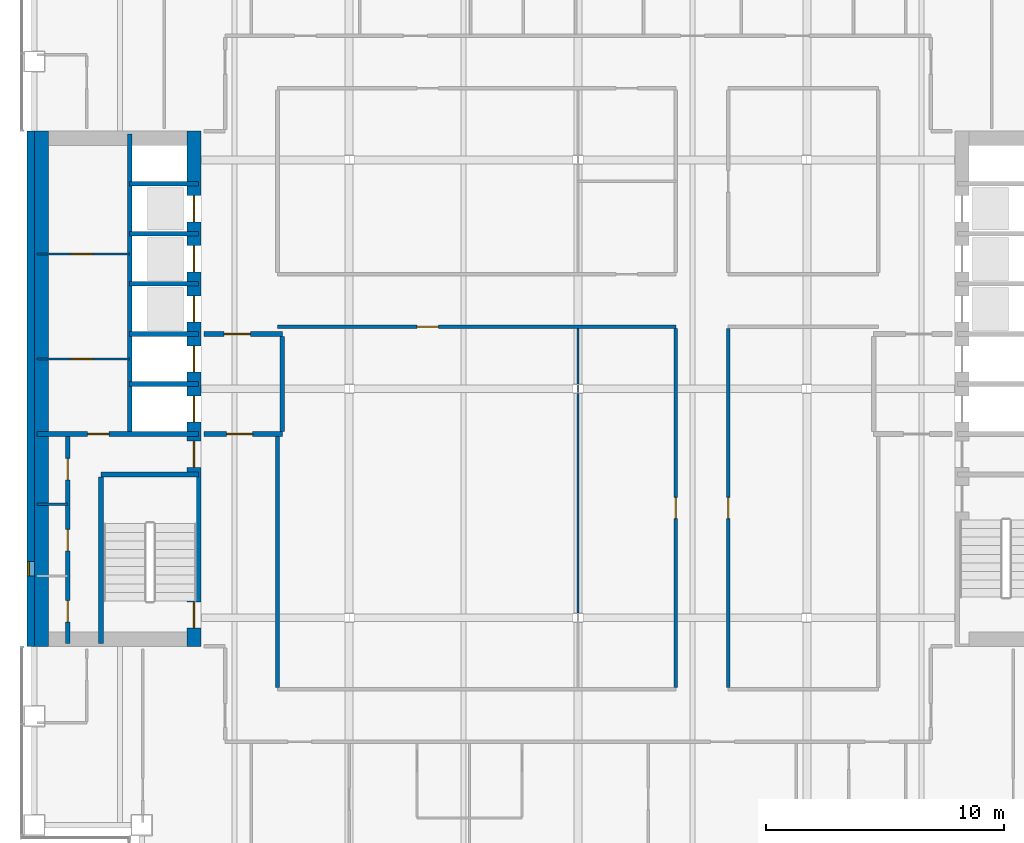
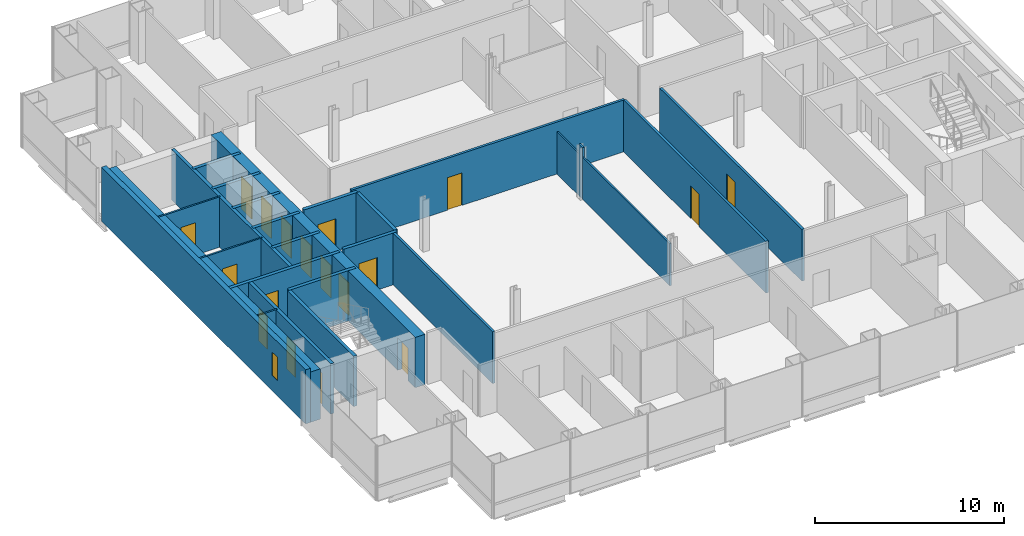
# One storey, part 11 of 16: 26 walls, 18 doors, 1 window, 19 openings.
"""IFC4 building model written with IfcOpenShell, lengths in metres."""

import ifcopenshell
import ifcopenshell.guid

model = None  # the IFC model being written
_history = None  # IfcOwnerHistory: only IFC2X3 demands one
_inside = {}  # id of a spatial element -> (the spatial element, [elements in it])
_under = {}  # id of a project, library or spatial element -> (it, [spatial elements below it])
_declared = {}  # id of a project -> (the project, [libraries it declares])
_typed = {}  # id of a type object -> (the type object, [elements of that type])
_made_of = {}  # id of a material, layer set ... -> (it, [elements and type objects made of it])


def new_model(schema):
    """Start an empty IFC model of exactly this schema.

    Asked for "IFC4X3", IfcOpenShell would pick the latest addendum, in which some entities
    have other attributes; the version numbers below select the first issue.
    IFC2X3 requires an IfcOwnerHistory on every rooted entity: one is made here for all.
    """
    global model, _history
    if schema == "IFC4X3":
        model = ifcopenshell.file(schema_version=(4, 3, 0, 0))
    else:
        model = ifcopenshell.file(schema=schema)
    _inside.clear()
    _under.clear()
    _declared.clear()
    _typed.clear()
    _made_of.clear()
    _history = None
    if model.schema == "IFC2X3":
        org = make("IfcOrganization", Name="unknown")
        user = make(
            "IfcPersonAndOrganization",
            ThePerson=make("IfcPerson", FamilyName="unknown"),
            TheOrganization=org,
        )
        app = make(
            "IfcApplication",
            ApplicationDeveloper=org,
            Version="unknown",
            ApplicationFullName="unknown",
            ApplicationIdentifier="unknown",
        )
        _history = make(
            "IfcOwnerHistory",
            OwningUser=user,
            OwningApplication=app,
            ChangeAction="ADDED",
            CreationDate=0,
        )
    return model


def make(cls, **values):
    """One entity of the class cls with the attributes given. An attribute that is None is left unset."""
    return model.create_entity(
        cls, **{name: value for name, value in values.items() if value is not None}
    )


def rooted(cls, **values):
    """An entity with a GlobalId (a new one), such as an element, a storey or a relation."""
    return make(cls, GlobalId=ifcopenshell.guid.new(), OwnerHistory=_history, **values)


def si_unit(unit_type, name, prefix=None):
    """IfcSIUnit, for example si_unit("LENGTHUNIT", "METRE", prefix="MILLI")."""
    return make("IfcSIUnit", UnitType=unit_type, Prefix=prefix, Name=name)


def assignment(units):
    """IfcUnitAssignment: the units of a project."""
    return None if units is None else make("IfcUnitAssignment", Units=units)


def point(xyz):
    """IfcCartesianPoint."""
    return None if xyz is None else make("IfcCartesianPoint", Coordinates=xyz)


def direction(xyz):
    """IfcDirection."""
    return None if xyz is None else make("IfcDirection", DirectionRatios=xyz)


def frame(location, z_axis=None, x_axis=None):
    """IfcAxis2Placement3D, a coordinate frame: its origin and axes. An axis left out is left unset."""
    return make(
        "IfcAxis2Placement3D",
        Location=point(location),
        Axis=direction(z_axis),
        RefDirection=direction(x_axis),
    )


def frame_2d(location, x_axis=None):
    """IfcAxis2Placement2D, a coordinate frame in the plane: its origin and x axis."""
    return make(
        "IfcAxis2Placement2D", Location=point(location), RefDirection=direction(x_axis)
    )


def origin():
    """The frame at (0, 0, 0) with its axes left unset."""
    return frame((0.0, 0.0, 0.0))


def place(relative_to, where):
    """IfcLocalPlacement: puts the frame where relative to a parent placement (None: the world)."""
    return make(
        "IfcLocalPlacement", PlacementRelTo=relative_to, RelativePlacement=where
    )


def context(
    kind, dimensions, precision=None, world=None, true_north=None, identifier=None
):
    """IfcGeometricRepresentationContext, for example the 3D "Model" context."""
    return make(
        "IfcGeometricRepresentationContext",
        ContextIdentifier=identifier,
        ContextType=kind,
        CoordinateSpaceDimension=dimensions,
        Precision=precision,
        WorldCoordinateSystem=world,
        TrueNorth=true_north,
    )


def subcontext(parent, identifier, kind, view, scale=None):
    """IfcGeometricRepresentationSubContext, for example "Body" below "Model"."""
    return make(
        "IfcGeometricRepresentationSubContext",
        ContextIdentifier=identifier,
        ContextType=kind,
        ParentContext=parent,
        TargetScale=scale,
        TargetView=view,
    )


def project(units=None, contexts=None):
    """IfcProject with its units and contexts."""
    return rooted(
        "IfcProject",
        Name="project",
        RepresentationContexts=contexts,
        UnitsInContext=assignment(units),
    )


def spatial(cls, under=None, at=None, **own):
    """A site, building, storey or space (cls), placed at a placement, below another one or the project."""
    s = rooted(cls, ObjectPlacement=at, **own)
    if under is not None:
        _under.setdefault(under.id(), (under, []))[1].append(s)
    return s


def profile(cls, at=None, kind="AREA", **sizes):
    """A parametric profile (cls). Its sizes go by their IFC names, for example OverallWidth=200.0."""
    return make(cls, ProfileType=kind, Position=at, **sizes)


def rectangle(**sizes):
    """IfcRectangleProfileDef."""
    return profile("IfcRectangleProfileDef", **sizes)


def extrude(swept, where, along, depth):
    """IfcExtrudedAreaSolid: the profile swept, set in the frame where, extruded along a direction by depth."""
    return make(
        "IfcExtrudedAreaSolid",
        SweptArea=swept,
        Position=where,
        ExtrudedDirection=direction(along),
        Depth=depth,
    )


def shape(context_of_items, identifier, shape_type, items):
    """IfcShapeRepresentation: the items that make up one representation, for example the "Body"."""
    return make(
        "IfcShapeRepresentation",
        ContextOfItems=context_of_items,
        RepresentationIdentifier=identifier,
        RepresentationType=shape_type,
        Items=items,
    )


def material(Name=None, Category=None):
    """IfcMaterial."""
    return make("IfcMaterial", Name=Name, Category=Category)


def layer(
    of_material, thickness, ventilated=None, Name=None, Category=None, Priority=None
):
    """IfcMaterialLayer: one layer of a wall or slab, of a material (None: an air gap)."""
    return make(
        "IfcMaterialLayer",
        Material=of_material,
        LayerThickness=thickness,
        IsVentilated=ventilated,
        Name=Name,
        Category=Category,
        Priority=Priority,
    )


def layer_set(layers, Name=None):
    """IfcMaterialLayerSet."""
    return make("IfcMaterialLayerSet", MaterialLayers=layers, LayerSetName=Name)


def made_of(thing, what):
    """Note that an element or type object is made of a material, layer set ...; save() writes the relation."""
    if what is not None:
        _made_of.setdefault(what.id(), (what, []))[1].append(thing)
    return thing


def type_object(cls, material=None, **own):
    """A type object (cls), such as IfcWallType, which elements share."""
    return made_of(rooted(cls, **own), material)


def element(
    cls,
    number,
    at=None,
    inside=None,
    cuts=None,
    type_object=None,
    material=None,
    context=None,
    identifier="Body",
    shape_type=None,
    held_by="IfcProductDefinitionShape",
    body=None,
    shapes=None,
    **own,
):
    """One element of the class cls, such as IfcWall. Its Tag is "e" and its number.

    at: its placement. inside: the storey or other place that contains it. cuts: it is an
    opening in that element (IfcRelVoidsElement). A single representation is given by context,
    identifier, shape_type and body (its items); several are given by shapes. held_by: the class
    of the entity that holds the representations. save() writes the other relations.
    """
    e = rooted(cls, Tag="e%d" % number, ObjectPlacement=at, **own)
    if body is not None:
        shapes = [shape(context, identifier, shape_type, body)]
    if shapes is not None:
        e.Representation = make(held_by, Representations=shapes)
    if inside is not None:
        _inside.setdefault(inside.id(), (inside, []))[1].append(e)
    if cuts is not None:
        rooted(
            "IfcRelVoidsElement", RelatingBuildingElement=cuts, RelatedOpeningElement=e
        )
    if type_object is not None:
        _typed.setdefault(type_object.id(), (type_object, []))[1].append(e)
    return made_of(e, material)


def fill(opening, filler):
    """IfcRelFillsElement: the door or window that sits in an opening."""
    return rooted(
        "IfcRelFillsElement",
        RelatingOpeningElement=opening,
        RelatedBuildingElement=filler,
    )


def aggregate(whole, parts):
    """IfcRelAggregates: a whole, such as a stair, and the parts it consists of."""
    return rooted("IfcRelAggregates", RelatingObject=whole, RelatedObjects=parts)


def save(model, path):
    """Write the relations noted so far, then the file.

    IfcRelAggregates (storeys below a building ...), IfcRelContainedInSpatialStructure (elements
    in a storey), IfcRelDefinesByType, IfcRelAssociatesMaterial and IfcRelDeclares: one each for
    every whole, place, type object, material and project.
    """
    for whole, parts in _under.values():
        aggregate(whole, parts)
    for where, things in _inside.values():
        rooted(
            "IfcRelContainedInSpatialStructure",
            RelatedElements=things,
            RelatingStructure=where,
        )
    for kind, things in _typed.values():
        rooted("IfcRelDefinesByType", RelatedObjects=things, RelatingType=kind)
    for what, things in _made_of.values():
        rooted("IfcRelAssociatesMaterial", RelatedObjects=things, RelatingMaterial=what)
    for by, libraries in _declared.values():
        rooted("IfcRelDeclares", RelatingContext=by, RelatedDefinitions=libraries)
    model.write(path)


model = new_model("IFC4")

# Units and contexts
model_context = context("Model", 3, precision=1e-05, world=origin(), true_north=direction((0.0, 1.0)))
body_context = subcontext(model_context, "Body", "Model", "MODEL_VIEW")
ifc_project = project(units=[si_unit("LENGTHUNIT", "METRE"), si_unit("AREAUNIT", "SQUARE_METRE"), si_unit("VOLUMEUNIT", "CUBIC_METRE"), si_unit("PLANEANGLEUNIT", "RADIAN"), si_unit("MASSUNIT", "GRAM", prefix="KILO")], contexts=[model_context])

# Site, building, storey
site_placement = place(None, origin())
site = spatial("IfcSite", under=ifc_project, at=site_placement, CompositionType="ELEMENT")
building_placement = place(site_placement, origin())
building = spatial("IfcBuilding", under=site, at=building_placement, Name="Cobrizo Arcos Hotel Tower", CompositionType="ELEMENT")
storey_placement = place(building_placement, frame((0.0, 0.0, 113.5)))
storey = spatial("IfcBuildingStorey", under=building, at=storey_placement, Name="L28", CompositionType="ELEMENT", Elevation=113.5)

# Wall, opening, door
ifc_material_1 = material(Name="Gypsum board partition")
ifc_layer_1 = layer(ifc_material_1, 0.14990234375)
ifc_layer_set_1 = layer_set([ifc_layer_1], Name="Corridor wall EI 60 150")
wall_type_1 = type_object("IfcWallType", Name="Corridor wall EI 60 150", PredefinedType="PARTITIONING", material=ifc_layer_set_1)
wall_1_placement = place(storey_placement, frame((-12.60009765625, 2.60009765625, 0.0), z_axis=(0.0, 0.0, 1.0), x_axis=(1.0, 0.0, 0.0)))
wall_1 = element("IfcWall", 1, at=wall_1_placement, inside=storey, type_object=wall_type_1, Name="Partition 028", PredefinedType="PARTITIONING", context=body_context, shape_type="SweptSolid", body=[
    extrude(rectangle(XDim=16.7001953125, YDim=0.14990234375, at=frame_2d((8.35009765625, 0.0))), origin(), (0.0, 0.0, 1.0), 3.35009765625),
])
opening_1_placement = place(wall_1_placement, frame((5.85009765625, 0.0, 0.0)))
opening_1 = element("IfcOpeningElement", 2, at=opening_1_placement, cuts=wall_1, Name="Opening RD-23", PredefinedType="OPENING", context=body_context, shape_type="SweptSolid", body=[
    extrude(rectangle(XDim=0.89990234375, YDim=2.10009765625, at=frame_2d((0.449951171875, 1.050048828125))), frame((0.0, 0.0869140625, 0.0), z_axis=(0.0, -1.0, 0.0), x_axis=(1.0, 0.0, 0.0)), (0.0, 0.0, 1.0), 0.173828125),
])
ifc_material_2 = material(Name="Timber door leaf", Category="wood")
door_type_1 = type_object("IfcDoorType", Name="Room door FD30 900x2100", OperationType="SINGLE_SWING_LEFT", PredefinedType="DOOR", material=ifc_material_2)
door_1_placement = place(opening_1_placement, origin())
door_1 = element("IfcDoor", 3, at=door_1_placement, inside=storey, type_object=door_type_1, Name="Door RD-23", OperationType="SINGLE_SWING_LEFT", OverallHeight=2.10009765625, OverallWidth=0.89990234375, PredefinedType="DOOR", context=body_context, shape_type="SweptSolid", body=[
    extrude(rectangle(XDim=0.89990234375, YDim=2.10009765625, at=frame_2d((0.449951171875, 1.050048828125))), frame((0.0, 0.02490234375, 0.0), z_axis=(0.0, -1.0, 0.0), x_axis=(1.0, 0.0, 0.0)), (0.0, 0.0, 1.0), 0.050048828125),
])
fill(opening_1, door_1)

# Wall
wall_2_placement = place(storey_placement, frame((-12.60009765625, -12.52490234375, 0.0), z_axis=(0.0, 0.0, 1.0), x_axis=(0.0, 1.0, 0.0)))
element("IfcWall", 4, at=wall_2_placement, inside=storey, type_object=wall_type_1, Name="Partition 061", PredefinedType="PARTITIONING", context=body_context, shape_type="SweptSolid", body=[
    extrude(rectangle(XDim=10.52490234375, YDim=0.14990234375, at=frame_2d((5.262451171875, 0.0))), origin(), (0.0, 0.0, 1.0), 3.35009765625),
])

# Wall, opening, door
wall_3_placement = place(storey_placement, frame((4.10009765625, -12.52490234375, 0.0), z_axis=(0.0, 0.0, 1.0), x_axis=(0.0, 1.0, 0.0)))
wall_3 = element("IfcWall", 5, at=wall_3_placement, inside=storey, type_object=wall_type_1, Name="Partition 085", PredefinedType="PARTITIONING", context=body_context, shape_type="SweptSolid", body=[
    extrude(rectangle(XDim=15.0498046875, YDim=0.14990234375, at=frame_2d((7.52490234375, 0.0))), origin(), (0.0, 0.0, 1.0), 3.35009765625),
])
opening_2_placement = place(wall_3_placement, frame((7.074951171875, 0.0, 0.0)))
opening_2 = element("IfcOpeningElement", 6, at=opening_2_placement, cuts=wall_3, Name="Opening RD-20", PredefinedType="OPENING", context=body_context, shape_type="SweptSolid", body=[
    extrude(rectangle(XDim=0.89990234375, YDim=2.10009765625, at=frame_2d((0.449951171875, 1.050048828125))), frame((0.0, 0.0869140625, 0.0), z_axis=(0.0, -1.0, 0.0), x_axis=(1.0, 0.0, 0.0)), (0.0, 0.0, 1.0), 0.173828125),
])
door_2_placement = place(opening_2_placement, origin())
door_2 = element("IfcDoor", 7, at=door_2_placement, inside=storey, type_object=door_type_1, Name="Door RD-20", OperationType="SINGLE_SWING_LEFT", OverallHeight=2.10009765625, OverallWidth=0.89990234375, PredefinedType="DOOR", context=body_context, shape_type="SweptSolid", body=[
    extrude(rectangle(XDim=0.89990234375, YDim=2.10009765625, at=frame_2d((0.449951171875, 1.050048828125))), frame((0.0, 0.02490234375, 0.0), z_axis=(0.0, -1.0, 0.0), x_axis=(1.0, 0.0, 0.0)), (0.0, 0.0, 1.0), 0.050048828125),
])
fill(opening_2, door_2)

wall_4_placement = place(storey_placement, frame((6.300048828125, -12.52490234375, 0.0), z_axis=(0.0, 0.0, 1.0), x_axis=(0.0, 1.0, 0.0)))
wall_4 = element("IfcWall", 8, at=wall_4_placement, inside=storey, type_object=wall_type_1, Name="Partition 087", PredefinedType="PARTITIONING", context=body_context, shape_type="SweptSolid", body=[
    extrude(rectangle(XDim=15.0498046875, YDim=0.14990234375, at=frame_2d((7.52490234375, 0.0))), origin(), (0.0, 0.0, 1.0), 3.35009765625),
])
opening_3_placement = place(wall_4_placement, frame((7.074951171875, 0.0, 0.0)))
opening_3 = element("IfcOpeningElement", 9, at=opening_3_placement, cuts=wall_4, Name="Opening RD-21", PredefinedType="OPENING", context=body_context, shape_type="SweptSolid", body=[
    extrude(rectangle(XDim=0.89990234375, YDim=2.10009765625, at=frame_2d((0.449951171875, 1.050048828125))), frame((0.0, 0.0869140625, 0.0), z_axis=(0.0, -1.0, 0.0), x_axis=(1.0, 0.0, 0.0)), (0.0, 0.0, 1.0), 0.173828125),
])
door_3_placement = place(opening_3_placement, origin())
door_3 = element("IfcDoor", 10, at=door_3_placement, inside=storey, type_object=door_type_1, Name="Door RD-21", OperationType="SINGLE_SWING_RIGHT", OverallHeight=2.10009765625, OverallWidth=0.89990234375, PredefinedType="DOOR", context=body_context, shape_type="SweptSolid", body=[
    extrude(rectangle(XDim=0.89990234375, YDim=2.10009765625, at=frame_2d((0.449951171875, 1.050048828125))), frame((0.0, 0.02490234375, 0.0), z_axis=(0.0, -1.0, 0.0), x_axis=(1.0, 0.0, 0.0)), (0.0, 0.0, 1.0), 0.050048828125),
])
fill(opening_3, door_3)

# Wall, opening, window
ifc_material_3 = material(Name="Aluminium composite panel pale metal", Category="aluminium")
ifc_layer_2 = layer(ifc_material_3, 0.300048828125)
ifc_layer_set_2 = layer_set([ifc_layer_2], Name="EW-1 insulated panel wall 300")
wall_type_2 = type_object("IfcWallType", Name="EW-1 insulated panel wall 300", PredefinedType="SOLIDWALL", material=ifc_layer_set_2)
wall_5_placement = place(storey_placement, frame((-22.949951171875, 10.800048828125, 0.0), z_axis=(0.0, 0.0, 1.0), x_axis=(0.0, -1.0, 0.0)))
wall_5 = element("IfcWall", 11, at=wall_5_placement, inside=storey, type_object=wall_type_2, Name="Core face wall L28 W", PredefinedType="SOLIDWALL", context=body_context, shape_type="SweptSolid", body=[
    extrude(rectangle(XDim=21.60009765625, YDim=0.300048828125, at=frame_2d((10.800048828125, 0.0))), origin(), (0.0, 0.0, 1.0), 3.5),
])
opening_4_placement = place(wall_5_placement, frame((18.050048828125, 0.0, 1.0)))
opening_4 = element("IfcOpeningElement", 12, at=opening_4_placement, cuts=wall_5, Name="Opening W-58", PredefinedType="OPENING", context=body_context, shape_type="SweptSolid", body=[
    extrude(rectangle(XDim=0.60009765625, YDim=1.5, at=frame_2d((0.300048828125, 0.75))), frame((0.0, 0.162109375, 0.0), z_axis=(0.0, -1.0, 0.0), x_axis=(1.0, 0.0, 0.0)), (0.0, 0.0, 1.0), 0.323974609375),
])
ifc_material_4 = material(Name="Aluminium 6063-T6 and clear laminated glass", Category="aluminium")
window_type = type_object("IfcWindowType", Name="W-C1 core stair slot window 600x1500", PartitioningType="SINGLE_PANEL", PredefinedType="WINDOW", material=ifc_material_4)
window_placement = place(opening_4_placement, origin())
window = element("IfcWindow", 13, at=window_placement, inside=storey, type_object=window_type, Name="Core face wall L28 W window W-58", OverallHeight=1.5, OverallWidth=0.60009765625, PartitioningType="SINGLE_PANEL", PredefinedType="WINDOW", context=body_context, shape_type="SweptSolid", body=[
    extrude(rectangle(XDim=0.60009765625, YDim=1.5, at=frame_2d((0.300048828125, 0.75))), frame((0.0, -0.06005859375, 0.0), z_axis=(0.0, -1.0, 0.0), x_axis=(1.0, 0.0, 0.0)), (0.0, 0.0, 1.0), 0.06005859375),
])
fill(opening_4, window)

# Wall
ifc_layer_3 = layer(ifc_material_1, 0.10009765625)
ifc_layer_set_3 = layer_set([ifc_layer_3], Name="Partition EI 30 100")
wall_type_3 = type_object("IfcWallType", Name="Partition EI 30 100", PredefinedType="PARTITIONING", material=ifc_layer_set_3)
wall_6_placement = place(storey_placement, frame((-22.679931640625, -4.85009765625, 0.0), z_axis=(0.0, 0.0, 1.0), x_axis=(1.0, 0.0, 0.0)))
element("IfcWall", 14, at=wall_6_placement, inside=storey, type_object=wall_type_3, Name="Partition 012", PredefinedType="PARTITIONING", context=body_context, shape_type="SweptSolid", body=[
    extrude(rectangle(XDim=1.280029296875, YDim=0.10009765625, at=frame_2d((0.64013671875, 0.0))), origin(), (0.0, 0.0, 1.0), 3.25),
])

# Wall, opening, door
wall_7_placement = place(storey_placement, frame((-22.679931640625, 1.25, 0.0), z_axis=(0.0, 0.0, 1.0), x_axis=(1.0, 0.0, 0.0)))
wall_7 = element("IfcWall", 15, at=wall_7_placement, inside=storey, type_object=wall_type_3, Name="Partition 022", PredefinedType="PARTITIONING", context=body_context, shape_type="SweptSolid", body=[
    extrude(rectangle(XDim=3.8798828125, YDim=0.10009765625, at=frame_2d((1.93994140625, 0.0))), origin(), (0.0, 0.0, 1.0), 3.25),
])
opening_5_placement = place(wall_7_placement, frame((1.429931640625, 0.0, 0.0)))
opening_5 = element("IfcOpeningElement", 16, at=opening_5_placement, cuts=wall_7, Name="Opening RD-04", PredefinedType="OPENING", context=body_context, shape_type="SweptSolid", body=[
    extrude(rectangle(XDim=0.89990234375, YDim=2.10009765625, at=frame_2d((0.449951171875, 1.050048828125))), frame((0.0, 0.06201171875, 0.0), z_axis=(0.0, -1.0, 0.0), x_axis=(1.0, 0.0, 0.0)), (0.0, 0.0, 1.0), 0.1240234375),
])
door_4_placement = place(opening_5_placement, origin())
door_4 = element("IfcDoor", 17, at=door_4_placement, inside=storey, type_object=door_type_1, Name="Door RD-04", OperationType="SINGLE_SWING_LEFT", OverallHeight=2.10009765625, OverallWidth=0.89990234375, PredefinedType="DOOR", context=body_context, shape_type="SweptSolid", body=[
    extrude(rectangle(XDim=0.89990234375, YDim=2.10009765625, at=frame_2d((0.449951171875, 1.050048828125))), frame((0.0, 0.02490234375, 0.0), z_axis=(0.0, -1.0, 0.0), x_axis=(1.0, 0.0, 0.0)), (0.0, 0.0, 1.0), 0.050048828125),
])
fill(opening_5, door_4)

wall_8_placement = place(storey_placement, frame((-22.679931640625, 5.64990234375, 0.0), z_axis=(0.0, 0.0, 1.0), x_axis=(1.0, 0.0, 0.0)))
wall_8 = element("IfcWall", 18, at=wall_8_placement, inside=storey, type_object=wall_type_3, Name="Partition 034", PredefinedType="PARTITIONING", context=body_context, shape_type="SweptSolid", body=[
    extrude(rectangle(XDim=3.8798828125, YDim=0.10009765625, at=frame_2d((1.93994140625, 0.0))), origin(), (0.0, 0.0, 1.0), 3.25),
])
opening_6_placement = place(wall_8_placement, frame((1.429931640625, 0.0, 0.0)))
opening_6 = element("IfcOpeningElement", 19, at=opening_6_placement, cuts=wall_8, Name="Opening RD-05", PredefinedType="OPENING", context=body_context, shape_type="SweptSolid", body=[
    extrude(rectangle(XDim=0.89990234375, YDim=2.10009765625, at=frame_2d((0.449951171875, 1.050048828125))), frame((0.0, 0.06201171875, 0.0), z_axis=(0.0, -1.0, 0.0), x_axis=(1.0, 0.0, 0.0)), (0.0, 0.0, 1.0), 0.1240234375),
])
door_5_placement = place(opening_6_placement, origin())
door_5 = element("IfcDoor", 20, at=door_5_placement, inside=storey, type_object=door_type_1, Name="Door RD-05", OperationType="SINGLE_SWING_RIGHT", OverallHeight=2.10009765625, OverallWidth=0.89990234375, PredefinedType="DOOR", context=body_context, shape_type="SweptSolid", body=[
    extrude(rectangle(XDim=0.89990234375, YDim=2.10009765625, at=frame_2d((0.449951171875, 1.050048828125))), frame((0.0, 0.02490234375, 0.0), z_axis=(0.0, -1.0, 0.0), x_axis=(1.0, 0.0, 0.0)), (0.0, 0.0, 1.0), 0.050048828125),
])
fill(opening_6, door_5)

# Walls
wall_9_placement = place(storey_placement, frame((0.0, -9.40087890625, 0.0), z_axis=(0.0, 0.0, 1.0), x_axis=(0.0, 1.0, 0.0)))
element("IfcWall", 21, at=wall_9_placement, inside=storey, type_object=wall_type_3, Name="Partition 077", PredefinedType="PARTITIONING", context=body_context, shape_type="SweptSolid", body=[
    extrude(rectangle(XDim=9.201904296875, YDim=0.10009765625, at=frame_2d((4.60107421875, 0.0))), origin(), (0.0, 0.0, 1.0), 2.72802734375),
])
wall_10_placement = place(storey_placement, frame((0.0, -0.198974609375, 0.0), z_axis=(0.0, 0.0, 1.0), x_axis=(0.0, 1.0, 0.0)))
element("IfcWall", 22, at=wall_10_placement, inside=storey, type_object=wall_type_3, Name="Partition 078", PredefinedType="PARTITIONING", context=body_context, shape_type="SweptSolid", body=[
    extrude(rectangle(XDim=0.39794921875, YDim=0.10009765625, at=frame_2d((0.198974609375, 0.0))), origin(), (0.0, 0.0, 1.0), 3.35009765625),
])
wall_11_placement = place(storey_placement, frame((0.0, 0.198974609375, 0.0), z_axis=(0.0, 0.0, 1.0), x_axis=(0.0, 1.0, 0.0)))
element("IfcWall", 23, at=wall_11_placement, inside=storey, type_object=wall_type_3, Name="Partition 079", PredefinedType="PARTITIONING", context=body_context, shape_type="SweptSolid", body=[
    extrude(rectangle(XDim=2.325927734375, YDim=0.10009765625, at=frame_2d((1.1630859375, 0.0))), origin(), (0.0, 0.0, 1.0), 2.72802734375),
])

# Wall, openings, doors
ifc_material_5 = material(Name="Concrete f'c 50 MPa", Category="concrete")
ifc_layer_4 = layer(ifc_material_5, 0.60009765625)
ifc_layer_set_4 = layer_set([ifc_layer_4], Name="RC core wall 600 f'c 50")
wall_type_4 = type_object("IfcWallType", Name="RC core wall 600 f'c 50", PredefinedType="SHEAR", material=ifc_layer_set_4)
wall_12_placement = place(storey_placement, frame((-16.10009765625, -10.800048828125, 0.0), z_axis=(0.0, 0.0, 1.0), x_axis=(0.0, 1.0, 0.0)))
wall_12 = element("IfcWall", 24, at=wall_12_placement, inside=storey, type_object=wall_type_4, Name="Core wall CW2, west core, inner face, L28", PredefinedType="SHEAR", context=body_context, shape_type="SweptSolid", body=[
    extrude(rectangle(XDim=21.60009765625, YDim=0.60009765625, at=frame_2d((10.800048828125, 0.0))), origin(), (0.0, 0.0, 1.0), 3.25),
])
opening_7_placement = place(wall_12_placement, frame((9.39990234375, 0.0, 0.0)))
opening_7 = element("IfcOpeningElement", 25, at=opening_7_placement, cuts=wall_12, Name="Opening LD-01", PredefinedType="OPENING", context=body_context, shape_type="SweptSolid", body=[
    extrude(rectangle(XDim=1.10009765625, YDim=2.10009765625, at=frame_2d((0.550048828125, 1.050048828125))), frame((0.0, 0.31201171875, 0.0), z_axis=(0.0, -1.0, 0.0), x_axis=(1.0, 0.0, 0.0)), (0.0, 0.0, 1.0), 0.6240234375),
])
opening_8_placement = place(wall_12_placement, frame((11.5, 0.0, 0.0)))
opening_8 = element("IfcOpeningElement", 26, at=opening_8_placement, cuts=wall_12, Name="Opening LD-02", PredefinedType="OPENING", context=body_context, shape_type="SweptSolid", body=[
    extrude(rectangle(XDim=1.10009765625, YDim=2.10009765625, at=frame_2d((0.550048828125, 1.050048828125))), frame((0.0, 0.31201171875, 0.0), z_axis=(0.0, -1.0, 0.0), x_axis=(1.0, 0.0, 0.0)), (0.0, 0.0, 1.0), 0.6240234375),
])
opening_9_placement = place(wall_12_placement, frame((13.60009765625, 0.0, 0.0)))
opening_9 = element("IfcOpeningElement", 27, at=opening_9_placement, cuts=wall_12, Name="Opening LD-03", PredefinedType="OPENING", context=body_context, shape_type="SweptSolid", body=[
    extrude(rectangle(XDim=1.10009765625, YDim=2.10009765625, at=frame_2d((0.550048828125, 1.050048828125))), frame((0.0, 0.31201171875, 0.0), z_axis=(0.0, -1.0, 0.0), x_axis=(1.0, 0.0, 0.0)), (0.0, 0.0, 1.0), 0.6240234375),
])
opening_10_placement = place(wall_12_placement, frame((15.699951171875, 0.0, 0.0)))
opening_10 = element("IfcOpeningElement", 28, at=opening_10_placement, cuts=wall_12, Name="Opening LD-04", PredefinedType="OPENING", context=body_context, shape_type="SweptSolid", body=[
    extrude(rectangle(XDim=1.10009765625, YDim=2.10009765625, at=frame_2d((0.550048828125, 1.050048828125))), frame((0.0, 0.31201171875, 0.0), z_axis=(0.0, -1.0, 0.0), x_axis=(1.0, 0.0, 0.0)), (0.0, 0.0, 1.0), 0.6240234375),
])
opening_11_placement = place(wall_12_placement, frame((17.800048828125, 0.0, 0.0)))
opening_11 = element("IfcOpeningElement", 29, at=opening_11_placement, cuts=wall_12, Name="Opening LD-05", PredefinedType="OPENING", context=body_context, shape_type="SweptSolid", body=[
    extrude(rectangle(XDim=1.10009765625, YDim=2.10009765625, at=frame_2d((0.550048828125, 1.050048828125))), frame((0.0, 0.31201171875, 0.0), z_axis=(0.0, -1.0, 0.0), x_axis=(1.0, 0.0, 0.0)), (0.0, 0.0, 1.0), 0.6240234375),
])
opening_12_placement = place(wall_12_placement, frame((0.758056640625, 0.0, 0.0)))
opening_12 = element("IfcOpeningElement", 30, at=opening_12_placement, cuts=wall_12, Name="Opening SD-01", PredefinedType="OPENING", context=body_context, shape_type="SweptSolid", body=[
    extrude(rectangle(XDim=1.10009765625, YDim=2.10009765625, at=frame_2d((0.550048828125, 1.050048828125))), frame((0.0, 0.31201171875, 0.0), z_axis=(0.0, -1.0, 0.0), x_axis=(1.0, 0.0, 0.0)), (0.0, 0.0, 1.0), 0.6240234375),
])
opening_13_placement = place(wall_12_placement, frame((7.5, 0.0, 0.0)))
opening_13 = element("IfcOpeningElement", 31, at=opening_13_placement, cuts=wall_12, Name="Opening FD-01", PredefinedType="OPENING", context=body_context, shape_type="SweptSolid", body=[
    extrude(rectangle(XDim=1.10009765625, YDim=2.10009765625, at=frame_2d((0.550048828125, 1.050048828125))), frame((0.0, 0.31201171875, 0.0), z_axis=(0.0, -1.0, 0.0), x_axis=(1.0, 0.0, 0.0)), (0.0, 0.0, 1.0), 0.6240234375),
])
ifc_material_6 = material(Name="Steel door leaf", Category="steel")
door_type_2 = type_object("IfcDoorType", Name="Fire door FD60 1100x2100", OperationType="SINGLE_SWING_LEFT", PredefinedType="DOOR", material=ifc_material_6)
door_6_placement = place(opening_13_placement, origin())
door_6 = element("IfcDoor", 32, at=door_6_placement, inside=storey, type_object=door_type_2, Name="Door FD-01", OperationType="SINGLE_SWING_LEFT", OverallHeight=2.10009765625, OverallWidth=1.10009765625, PredefinedType="DOOR", context=body_context, shape_type="SweptSolid", body=[
    extrude(rectangle(XDim=1.10009765625, YDim=2.10009765625, at=frame_2d((0.550048828125, 1.050048828125))), frame((0.0, 0.02490234375, 0.0), z_axis=(0.0, -1.0, 0.0), x_axis=(1.0, 0.0, 0.0)), (0.0, 0.0, 1.0), 0.050048828125),
])
fill(opening_13, door_6)
door_type_3 = type_object("IfcDoorType", Name="Lift landing door 1100x2100", OperationType="SLIDING_TO_LEFT", PredefinedType="DOOR", material=ifc_material_6)
door_7_placement = place(opening_7_placement, origin())
door_7 = element("IfcDoor", 33, at=door_7_placement, inside=storey, type_object=door_type_3, Name="Lift landing door LD-01", OperationType="SLIDING_TO_LEFT", OverallHeight=2.10009765625, OverallWidth=1.10009765625, PredefinedType="DOOR", context=body_context, shape_type="SweptSolid", body=[
    extrude(rectangle(XDim=1.10009765625, YDim=2.10009765625, at=frame_2d((0.550048828125, 1.050048828125))), frame((0.0, 0.02490234375, 0.0), z_axis=(0.0, -1.0, 0.0), x_axis=(1.0, 0.0, 0.0)), (0.0, 0.0, 1.0), 0.050048828125),
])
fill(opening_7, door_7)
door_8_placement = place(opening_8_placement, origin())
door_8 = element("IfcDoor", 34, at=door_8_placement, inside=storey, type_object=door_type_3, Name="Lift landing door LD-02", OperationType="SLIDING_TO_LEFT", OverallHeight=2.10009765625, OverallWidth=1.10009765625, PredefinedType="DOOR", context=body_context, shape_type="SweptSolid", body=[
    extrude(rectangle(XDim=1.10009765625, YDim=2.10009765625, at=frame_2d((0.550048828125, 1.050048828125))), frame((0.0, 0.02490234375, 0.0), z_axis=(0.0, -1.0, 0.0), x_axis=(1.0, 0.0, 0.0)), (0.0, 0.0, 1.0), 0.050048828125),
])
fill(opening_8, door_8)
door_9_placement = place(opening_9_placement, origin())
door_9 = element("IfcDoor", 35, at=door_9_placement, inside=storey, type_object=door_type_3, Name="Lift landing door LD-03", OperationType="SLIDING_TO_LEFT", OverallHeight=2.10009765625, OverallWidth=1.10009765625, PredefinedType="DOOR", context=body_context, shape_type="SweptSolid", body=[
    extrude(rectangle(XDim=1.10009765625, YDim=2.10009765625, at=frame_2d((0.550048828125, 1.050048828125))), frame((0.0, 0.02490234375, 0.0), z_axis=(0.0, -1.0, 0.0), x_axis=(1.0, 0.0, 0.0)), (0.0, 0.0, 1.0), 0.050048828125),
])
fill(opening_9, door_9)
door_10_placement = place(opening_10_placement, origin())
door_10 = element("IfcDoor", 36, at=door_10_placement, inside=storey, type_object=door_type_3, Name="Lift landing door LD-04", OperationType="SLIDING_TO_LEFT", OverallHeight=2.10009765625, OverallWidth=1.10009765625, PredefinedType="DOOR", context=body_context, shape_type="SweptSolid", body=[
    extrude(rectangle(XDim=1.10009765625, YDim=2.10009765625, at=frame_2d((0.550048828125, 1.050048828125))), frame((0.0, 0.02490234375, 0.0), z_axis=(0.0, -1.0, 0.0), x_axis=(1.0, 0.0, 0.0)), (0.0, 0.0, 1.0), 0.050048828125),
])
fill(opening_10, door_10)
door_11_placement = place(opening_11_placement, origin())
door_11 = element("IfcDoor", 37, at=door_11_placement, inside=storey, type_object=door_type_3, Name="Lift landing door LD-05", OperationType="SLIDING_TO_LEFT", OverallHeight=2.10009765625, OverallWidth=1.10009765625, PredefinedType="DOOR", context=body_context, shape_type="SweptSolid", body=[
    extrude(rectangle(XDim=1.10009765625, YDim=2.10009765625, at=frame_2d((0.550048828125, 1.050048828125))), frame((0.0, 0.02490234375, 0.0), z_axis=(0.0, -1.0, 0.0), x_axis=(1.0, 0.0, 0.0)), (0.0, 0.0, 1.0), 0.050048828125),
])
fill(opening_11, door_11)
door_type_4 = type_object("IfcDoorType", Name="Stair door FD60S 1100x2100", OperationType="SINGLE_SWING_LEFT", PredefinedType="DOOR", material=ifc_material_6)
door_12_placement = place(opening_12_placement, origin())
door_12 = element("IfcDoor", 38, at=door_12_placement, inside=storey, type_object=door_type_4, Name="Door SD-01", OperationType="SINGLE_SWING_LEFT", OverallHeight=2.10009765625, OverallWidth=1.10009765625, PredefinedType="DOOR", context=body_context, shape_type="SweptSolid", body=[
    extrude(rectangle(XDim=1.10009765625, YDim=2.10009765625, at=frame_2d((0.550048828125, 1.050048828125))), frame((0.0, 0.02490234375, 0.0), z_axis=(0.0, -1.0, 0.0), x_axis=(1.0, 0.0, 0.0)), (0.0, 0.0, 1.0), 0.050048828125),
])
fill(opening_12, door_12)

# Wall
wall_13_placement = place(storey_placement, frame((-22.5, -10.800048828125, 0.0), z_axis=(0.0, 0.0, 1.0), x_axis=(0.0, 1.0, 0.0)))
element("IfcWall", 39, at=wall_13_placement, inside=storey, type_object=wall_type_4, Name="Core wall CW2, west core, outer face, L28", PredefinedType="SHEAR", context=body_context, shape_type="SweptSolid", body=[
    extrude(rectangle(XDim=21.60009765625, YDim=0.60009765625, at=frame_2d((10.800048828125, 0.0))), origin(), (0.0, 0.0, 1.0), 3.25),
])

# Wall, opening, door
ifc_layer_5 = layer(ifc_material_1, 0.199951171875)
ifc_layer_set_5 = layer_set([ifc_layer_5], Name="Shaft wall EI 120 200")
wall_type_5 = type_object("IfcWallType", Name="Shaft wall EI 120 200", PredefinedType="PARTITIONING", material=ifc_layer_set_5)
wall_14_placement = place(storey_placement, frame((-22.679931640625, -1.89990234375, 0.0), z_axis=(0.0, 0.0, 1.0), x_axis=(1.0, 0.0, 0.0)))
wall_14 = element("IfcWall", 40, at=wall_14_placement, inside=storey, type_object=wall_type_5, Name="Partition 016", PredefinedType="PARTITIONING", context=body_context, shape_type="SweptSolid", body=[
    extrude(rectangle(XDim=6.760009765625, YDim=0.199951171875, at=frame_2d((3.3798828125, 0.0))), origin(), (0.0, 0.0, 1.0), 3.25),
])
opening_14_placement = place(wall_14_placement, frame((2.1201171875, 0.0, 0.0)))
opening_14 = element("IfcOpeningElement", 41, at=opening_14_placement, cuts=wall_14, Name="Opening RD-03", PredefinedType="OPENING", context=body_context, shape_type="SweptSolid", body=[
    extrude(rectangle(XDim=0.89990234375, YDim=2.10009765625, at=frame_2d((0.449951171875, 1.050048828125))), frame((0.0, 0.112060546875, 0.0), z_axis=(0.0, -1.0, 0.0), x_axis=(1.0, 0.0, 0.0)), (0.0, 0.0, 1.0), 0.223876953125),
])
door_13_placement = place(opening_14_placement, origin())
door_13 = element("IfcDoor", 42, at=door_13_placement, inside=storey, type_object=door_type_1, Name="Door RD-03", OperationType="SINGLE_SWING_LEFT", OverallHeight=2.10009765625, OverallWidth=0.89990234375, PredefinedType="DOOR", context=body_context, shape_type="SweptSolid", body=[
    extrude(rectangle(XDim=0.89990234375, YDim=2.10009765625, at=frame_2d((0.449951171875, 1.050048828125))), frame((0.0, 0.02490234375, 0.0), z_axis=(0.0, -1.0, 0.0), x_axis=(1.0, 0.0, 0.0)), (0.0, 0.0, 1.0), 0.050048828125),
])
fill(opening_14, door_13)

wall_15_placement = place(storey_placement, frame((-15.679931640625, -1.89990234375, 0.0), z_axis=(0.0, 0.0, 1.0), x_axis=(1.0, 0.0, 0.0)))
wall_15 = element("IfcWall", 43, at=wall_15_placement, inside=storey, type_object=wall_type_5, Name="Partition 017", PredefinedType="PARTITIONING", context=body_context, shape_type="SweptSolid", body=[
    extrude(rectangle(XDim=3.280029296875, YDim=0.199951171875, at=frame_2d((1.64013671875, 0.0))), origin(), (0.0, 0.0, 1.0), 3.35009765625),
])
opening_15_placement = place(wall_15_placement, frame((0.93994140625, 0.0, 0.0)))
opening_15 = element("IfcOpeningElement", 44, at=opening_15_placement, cuts=wall_15, Name="Opening FD-02", PredefinedType="OPENING", context=body_context, shape_type="SweptSolid", body=[
    extrude(rectangle(XDim=1.10009765625, YDim=2.10009765625, at=frame_2d((0.550048828125, 1.050048828125))), frame((0.0, 0.112060546875, 0.0), z_axis=(0.0, -1.0, 0.0), x_axis=(1.0, 0.0, 0.0)), (0.0, 0.0, 1.0), 0.223876953125),
])
door_14_placement = place(opening_15_placement, origin())
door_14 = element("IfcDoor", 45, at=door_14_placement, inside=storey, type_object=door_type_2, Name="Door FD-02", OperationType="SINGLE_SWING_RIGHT", OverallHeight=2.10009765625, OverallWidth=1.10009765625, PredefinedType="DOOR", context=body_context, shape_type="SweptSolid", body=[
    extrude(rectangle(XDim=1.10009765625, YDim=2.10009765625, at=frame_2d((0.550048828125, 1.050048828125))), frame((0.0, 0.02490234375, 0.0), z_axis=(0.0, -1.0, 0.0), x_axis=(1.0, 0.0, 0.0)), (0.0, 0.0, 1.0), 0.050048828125),
])
fill(opening_15, door_14)

# Walls
for number, where, z_axis, x_axis, name in (
    (46, (-18.800048828125, 0.199951171875, 0.0), (0.0, 0.0, 1.0), (1.0, 0.0, 0.0), "Partition 020"),
    (47, (-18.800048828125, 2.300048828125, 0.0), (0.0, 0.0, 1.0), (1.0, 0.0, 0.0), "Partition 024"),
):
    element("IfcWall", number, at=place(storey_placement, frame(where, z_axis=z_axis, x_axis=x_axis)), inside=storey, type_object=wall_type_5, Name=name, PredefinedType="PARTITIONING", context=body_context, shape_type="SweptSolid", body=[
        extrude(rectangle(XDim=2.880126953125, YDim=0.199951171875, at=frame_2d((1.43994140625, 0.0))), origin(), (0.0, 0.0, 1.0), 3.25),
    ])

# Wall, opening, door
wall_16_placement = place(storey_placement, frame((-15.679931640625, 2.300048828125, 0.0), z_axis=(0.0, 0.0, 1.0), x_axis=(1.0, 0.0, 0.0)))
wall_16 = element("IfcWall", 48, at=wall_16_placement, inside=storey, type_object=wall_type_5, Name="Partition 025", PredefinedType="PARTITIONING", context=body_context, shape_type="SweptSolid", body=[
    extrude(rectangle(XDim=3.280029296875, YDim=0.199951171875, at=frame_2d((1.64013671875, 0.0))), origin(), (0.0, 0.0, 1.0), 3.35009765625),
])
opening_16_placement = place(wall_16_placement, frame((0.840087890625, 0.0, 0.0)))
opening_16 = element("IfcOpeningElement", 49, at=opening_16_placement, cuts=wall_16, Name="Opening FD-03", PredefinedType="OPENING", context=body_context, shape_type="SweptSolid", body=[
    extrude(rectangle(XDim=1.10009765625, YDim=2.10009765625, at=frame_2d((0.550048828125, 1.050048828125))), frame((0.0, 0.112060546875, 0.0), z_axis=(0.0, -1.0, 0.0), x_axis=(1.0, 0.0, 0.0)), (0.0, 0.0, 1.0), 0.223876953125),
])
door_15_placement = place(opening_16_placement, origin())
door_15 = element("IfcDoor", 50, at=door_15_placement, inside=storey, type_object=door_type_2, Name="Door FD-03", OperationType="SINGLE_SWING_RIGHT", OverallHeight=2.10009765625, OverallWidth=1.10009765625, PredefinedType="DOOR", context=body_context, shape_type="SweptSolid", body=[
    extrude(rectangle(XDim=1.10009765625, YDim=2.10009765625, at=frame_2d((0.550048828125, 1.050048828125))), frame((0.0, 0.02490234375, 0.0), z_axis=(0.0, -1.0, 0.0), x_axis=(1.0, 0.0, 0.0)), (0.0, 0.0, 1.0), 0.050048828125),
])
fill(opening_16, door_15)

# Walls
for number, where, z_axis, x_axis, name in (
    (51, (-18.800048828125, 4.39990234375, 0.0), (0.0, 0.0, 1.0), (1.0, 0.0, 0.0), "Partition 030"),
    (52, (-18.800048828125, 6.5, 0.0), (0.0, 0.0, 1.0), (1.0, 0.0, 0.0), "Partition 036"),
    (53, (-18.800048828125, 8.60009765625, 0.0), (0.0, 0.0, 1.0), (1.0, 0.0, 0.0), "Partition 038"),
):
    element("IfcWall", number, at=place(storey_placement, frame(where, z_axis=z_axis, x_axis=x_axis)), inside=storey, type_object=wall_type_5, Name=name, PredefinedType="PARTITIONING", context=body_context, shape_type="SweptSolid", body=[
        extrude(rectangle(XDim=2.880126953125, YDim=0.199951171875, at=frame_2d((1.43994140625, 0.0))), origin(), (0.0, 0.0, 1.0), 3.25),
    ])

# Wall, openings, doors
wall_17_placement = place(storey_placement, frame((-21.39990234375, -10.679931640625, 0.0), z_axis=(0.0, 0.0, 1.0), x_axis=(0.0, 1.0, 0.0)))
wall_17 = element("IfcWall", 54, at=wall_17_placement, inside=storey, type_object=wall_type_5, Name="Partition 050", PredefinedType="PARTITIONING", context=body_context, shape_type="SweptSolid", body=[
    extrude(rectangle(XDim=8.679931640625, YDim=0.199951171875, at=frame_2d((4.33984375, 0.0))), origin(), (0.0, 0.0, 1.0), 3.25),
])
opening_17_placement = place(wall_17_placement, frame((0.89892578125, 0.0, 0.0)))
opening_17 = element("IfcOpeningElement", 55, at=opening_17_placement, cuts=wall_17, Name="Opening RD-01", PredefinedType="OPENING", context=body_context, shape_type="SweptSolid", body=[
    extrude(rectangle(XDim=0.89990234375, YDim=2.10009765625, at=frame_2d((0.449951171875, 1.050048828125))), frame((0.0, 0.112060546875, 0.0), z_axis=(0.0, -1.0, 0.0), x_axis=(1.0, 0.0, 0.0)), (0.0, 0.0, 1.0), 0.223876953125),
])
opening_18_placement = place(wall_17_placement, frame((3.8798828125, 0.0, 0.0)))
opening_18 = element("IfcOpeningElement", 56, at=opening_18_placement, cuts=wall_17, Name="Opening RD-02", PredefinedType="OPENING", context=body_context, shape_type="SweptSolid", body=[
    extrude(rectangle(XDim=0.89990234375, YDim=2.10009765625, at=frame_2d((0.449951171875, 1.050048828125))), frame((0.0, 0.112060546875, 0.0), z_axis=(0.0, -1.0, 0.0), x_axis=(1.0, 0.0, 0.0)), (0.0, 0.0, 1.0), 0.223876953125),
])
opening_19_placement = place(wall_17_placement, frame((6.862060546875, 0.0, 0.0)))
opening_19 = element("IfcOpeningElement", 57, at=opening_19_placement, cuts=wall_17, Name="Opening ED-01", PredefinedType="OPENING", context=body_context, shape_type="SweptSolid", body=[
    extrude(rectangle(XDim=0.89990234375, YDim=2.10009765625, at=frame_2d((0.449951171875, 1.050048828125))), frame((0.0, 0.112060546875, 0.0), z_axis=(0.0, -1.0, 0.0), x_axis=(1.0, 0.0, 0.0)), (0.0, 0.0, 1.0), 0.223876953125),
])
door_type_5 = type_object("IfcDoorType", Name="En-suite door 900x2100", OperationType="SINGLE_SWING_LEFT", PredefinedType="DOOR", material=ifc_material_2)
door_16_placement = place(opening_19_placement, origin())
door_16 = element("IfcDoor", 58, at=door_16_placement, inside=storey, type_object=door_type_5, Name="Door ED-01", OperationType="SINGLE_SWING_LEFT", OverallHeight=2.10009765625, OverallWidth=0.89990234375, PredefinedType="DOOR", context=body_context, shape_type="SweptSolid", body=[
    extrude(rectangle(XDim=0.89990234375, YDim=2.10009765625, at=frame_2d((0.449951171875, 1.050048828125))), frame((0.0, 0.02490234375, 0.0), z_axis=(0.0, -1.0, 0.0), x_axis=(1.0, 0.0, 0.0)), (0.0, 0.0, 1.0), 0.050048828125),
])
fill(opening_19, door_16)
door_17_placement = place(opening_17_placement, origin())
door_17 = element("IfcDoor", 59, at=door_17_placement, inside=storey, type_object=door_type_1, Name="Door RD-01", OperationType="SINGLE_SWING_LEFT", OverallHeight=2.10009765625, OverallWidth=0.89990234375, PredefinedType="DOOR", context=body_context, shape_type="SweptSolid", body=[
    extrude(rectangle(XDim=0.89990234375, YDim=2.10009765625, at=frame_2d((0.449951171875, 1.050048828125))), frame((0.0, 0.02490234375, 0.0), z_axis=(0.0, -1.0, 0.0), x_axis=(1.0, 0.0, 0.0)), (0.0, 0.0, 1.0), 0.050048828125),
])
fill(opening_17, door_17)
door_18_placement = place(opening_18_placement, origin())
door_18 = element("IfcDoor", 60, at=door_18_placement, inside=storey, type_object=door_type_1, Name="Door RD-02", OperationType="SINGLE_SWING_RIGHT", OverallHeight=2.10009765625, OverallWidth=0.89990234375, PredefinedType="DOOR", context=body_context, shape_type="SweptSolid", body=[
    extrude(rectangle(XDim=0.89990234375, YDim=2.10009765625, at=frame_2d((0.449951171875, 1.050048828125))), frame((0.0, 0.02490234375, 0.0), z_axis=(0.0, -1.0, 0.0), x_axis=(1.0, 0.0, 0.0)), (0.0, 0.0, 1.0), 0.050048828125),
])
fill(opening_18, door_18)

# Walls
wall_18_placement = place(storey_placement, frame((-18.800048828125, -1.800048828125, 0.0), z_axis=(0.0, 0.0, 1.0), x_axis=(0.0, 1.0, 0.0)))
element("IfcWall", 61, at=wall_18_placement, inside=storey, type_object=wall_type_5, Name="Partition 054", PredefinedType="PARTITIONING", context=body_context, shape_type="SweptSolid", body=[
    extrude(rectangle(XDim=12.47998046875, YDim=0.199951171875, at=frame_2d((6.239990234375, 0.0))), origin(), (0.0, 0.0, 1.0), 3.25),
])
wall_19_placement = place(storey_placement, frame((-12.39990234375, -1.800048828125, 0.0), z_axis=(0.0, 0.0, 1.0), x_axis=(0.0, 1.0, 0.0)))
element("IfcWall", 62, at=wall_19_placement, inside=storey, type_object=wall_type_5, Name="Partition 063", PredefinedType="PARTITIONING", context=body_context, shape_type="SweptSolid", body=[
    extrude(rectangle(XDim=4.0, YDim=0.199951171875, at=frame_2d((2.0, 0.0))), origin(), (0.0, 0.0, 1.0), 3.35009765625),
])
ifc_material_7 = material(Name="Concrete f'c 40 MPa", Category="concrete")
ifc_layer_6 = layer(ifc_material_7, 0.199951171875)
ifc_layer_set_6 = layer_set([ifc_layer_6], Name="Stair shaft wall 200")
wall_type_6 = type_object("IfcWallType", Name="Stair shaft wall 200", PredefinedType="SHEAR", material=ifc_layer_set_6)
wall_20_placement = place(storey_placement, frame((-20.0, -3.60009765625, 0.0), z_axis=(0.0, 0.0, 1.0), x_axis=(1.0, 0.0, 0.0)))
element("IfcWall", 63, at=wall_20_placement, inside=storey, type_object=wall_type_6, Name="Stair shaft wall W", PredefinedType="SHEAR", context=body_context, shape_type="SweptSolid", body=[
    extrude(rectangle(XDim=4.080078125, YDim=0.199951171875, at=frame_2d((2.0400390625, 0.0))), origin(), (0.0, 0.0, 1.0), 3.25),
])
wall_21_placement = place(storey_placement, frame((-20.0, -10.679931640625, 0.0), z_axis=(0.0, 0.0, 1.0), x_axis=(0.0, 1.0, 0.0)))
element("IfcWall", 64, at=wall_21_placement, inside=storey, type_object=wall_type_6, Name="Stair shaft wall W", PredefinedType="SHEAR", context=body_context, shape_type="SweptSolid", body=[
    extrude(rectangle(XDim=6.97998046875, YDim=0.199951171875, at=frame_2d((3.489990234375, 0.0))), origin(), (0.0, 0.0, 1.0), 3.25),
])

save(model, "model.ifc")
